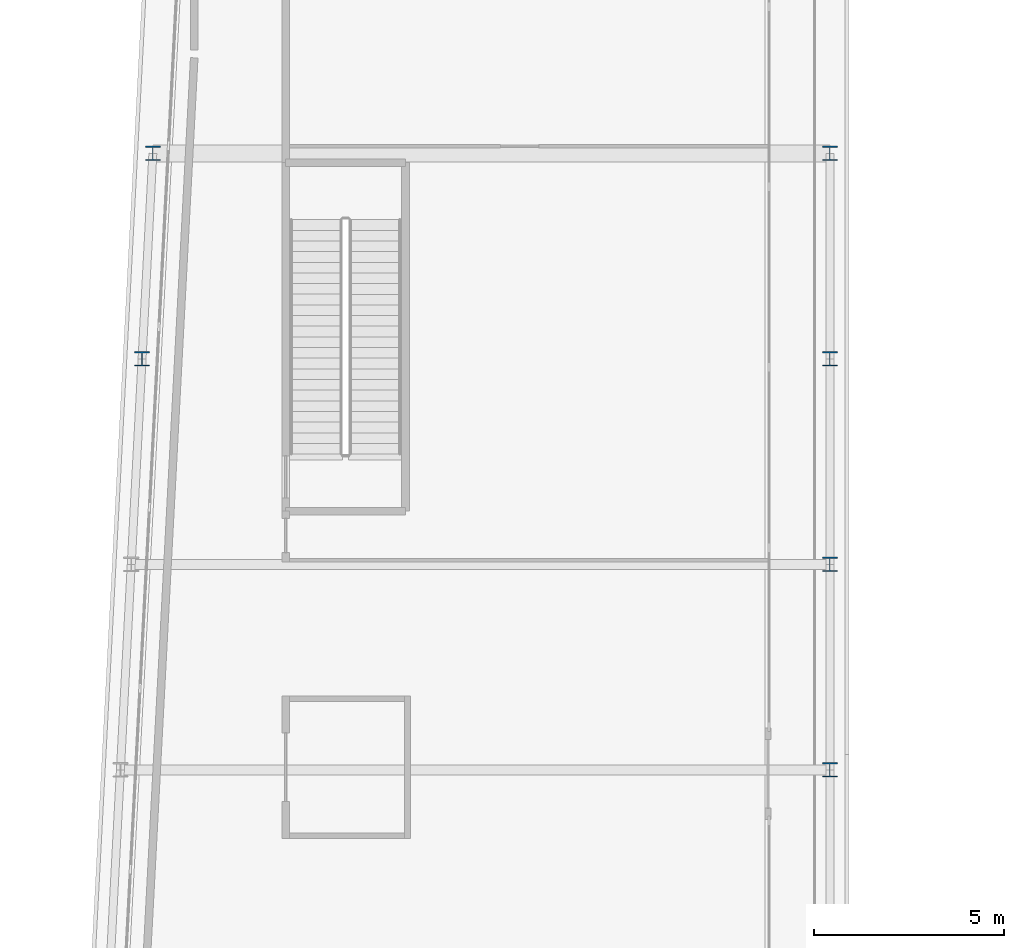
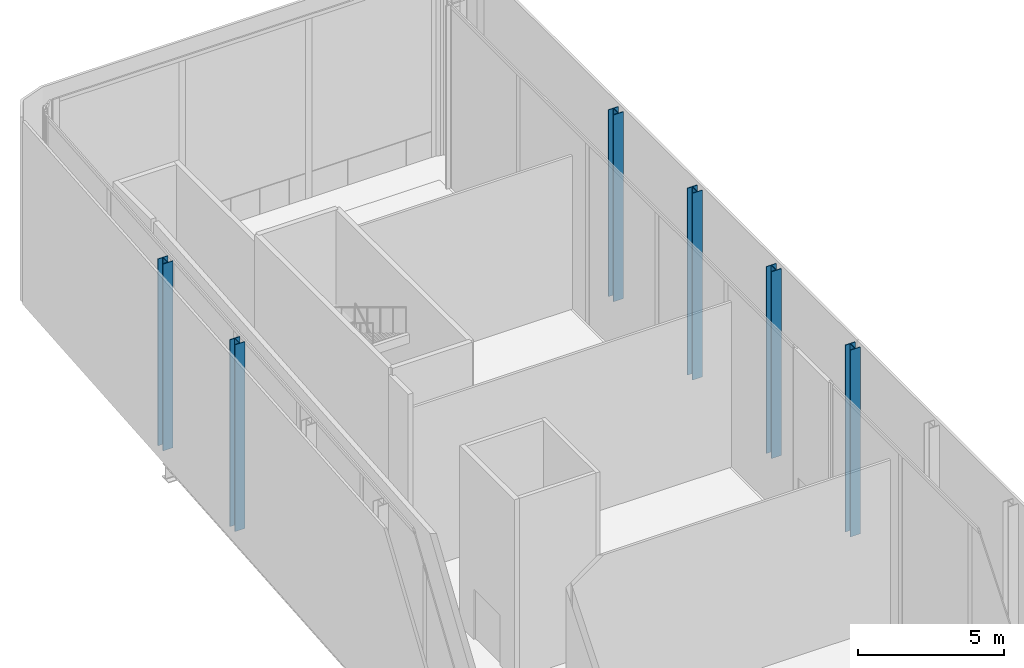
# One storey, part 4 of 28: 6 columns.
"""IFC4 building model written with IfcOpenShell, lengths in metres."""

from ifc_helpers import new_model, si_unit, direction, frame, origin, origin_2d, place, context, subcontext, project, spatial, i_section, extrude, material, material_profile, profile_set, type_object, element, save


model = new_model("IFC4")

# Units and contexts
model_context = context("Model", 3, precision=1e-05, world=origin(), true_north=direction((0.0, 1.0)))
body_context = subcontext(model_context, "Body", "Model", "MODEL_VIEW")
ifc_project = project(units=[si_unit("LENGTHUNIT", "METRE"), si_unit("AREAUNIT", "SQUARE_METRE"), si_unit("VOLUMEUNIT", "CUBIC_METRE"), si_unit("PLANEANGLEUNIT", "RADIAN"), si_unit("MASSUNIT", "GRAM", prefix="KILO")], contexts=[model_context])

# Site, building, storey
site_placement = place(None, origin())
site = spatial("IfcSite", under=ifc_project, at=site_placement, CompositionType="ELEMENT")
building_placement = place(site_placement, origin())
building = spatial("IfcBuilding", under=site, at=building_placement, Name="Kheshtan School and Residences Tower", CompositionType="ELEMENT")
storey_placement = place(building_placement, frame((0.0, 0.0, 325.39990234375)))
storey = spatial("IfcBuildingStorey", under=building, at=storey_placement, Name="L77", CompositionType="ELEMENT", Elevation=325.39990234375)

# Columns
ifc_material = material(Name="Steel ASTM A992 Grade 50", Category="steel")
ifc_material_profile = material_profile(ifc_material, i_section(OverallWidth=0.39501953125, OverallDepth=0.3798828125, WebThickness=0.018798828125, FlangeThickness=0.0302734375, FilletRadius=0.011474609375, at=origin_2d()), Name="W360x237")
ifc_profile_set = profile_set([ifc_material_profile], Name="Steel ASTM A992 Grade 50")
column_type = type_object("IfcColumnType", Name="Column C5 W360x237 ASTM A992 Grade 50", PredefinedType="COLUMN", material=ifc_profile_set)
for number, where, z_axis, x_axis, name in (
    (1, (47.60009765625, 72.60009765625, 0.0), (0.0, 0.0, 1.0), (1.0, 0.0, 0.0), "Column C087"),
    (2, (47.60009765625, 78.0, 0.0), (0.0, 0.0, 1.0), (1.0, 0.0, 0.0), "Column C089"),
    (3, (29.527099609375, 83.39990234375, 0.0), (0.0, 0.0, 1.0), (1.0, 0.0, 0.0), "Column C090"),
    (4, (47.60009765625, 83.39990234375, 0.0), (0.0, 0.0, 1.0), (1.0, 0.0, 0.0), "Column C091"),
    (5, (29.81103515625, 88.800048828125, 0.0), (0.0, 0.0, 1.0), (1.0, 0.0, 0.0), "Column C098"),
    (6, (47.60009765625, 88.800048828125, 0.0), (0.0, 0.0, 1.0), (1.0, 0.0, 0.0), "Column C099"),
):
    element("IfcColumn", number, at=place(storey_placement, frame(where, z_axis=z_axis, x_axis=x_axis)), inside=storey, type_object=column_type, Name=name, PredefinedType="COLUMN", context=body_context, shape_type="SweptSolid", body=[
        extrude(i_section(OverallWidth=0.39501953125, OverallDepth=0.3798828125, WebThickness=0.018798828125, FlangeThickness=0.0302734375, FilletRadius=0.011474609375, at=origin_2d()), origin(), (0.0, 0.0, 1.0), 7.800048828125),
    ])

save(model, "model.ifc")
